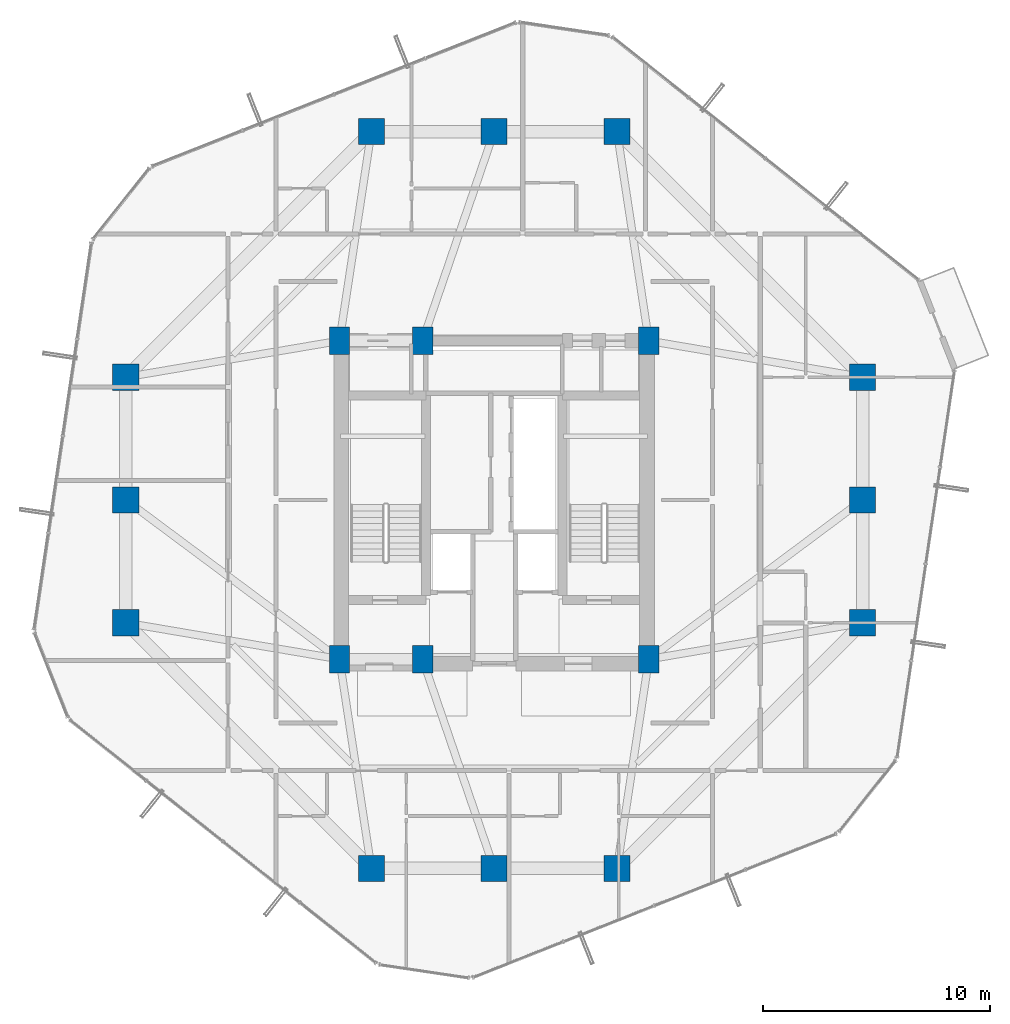
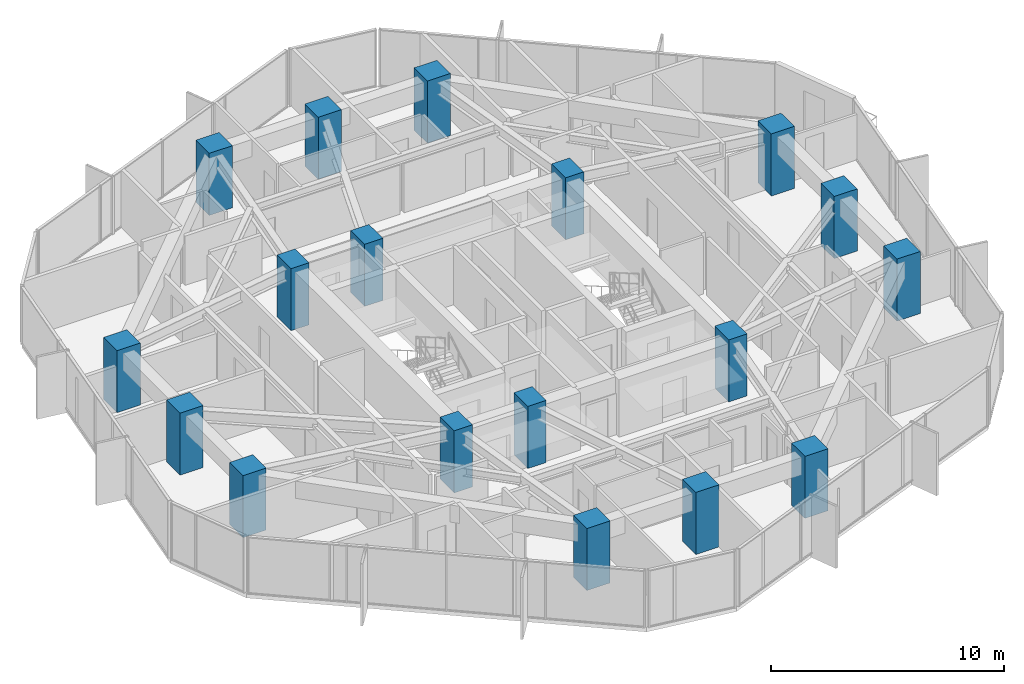
# One storey, part 1 of 29: 18 columns.
"""IFC4 building model written with IfcOpenShell, lengths in metres."""

from ifc_helpers import new_model, si_unit, direction, frame, origin, origin_2d, place, context, subcontext, project, spatial, rectangle, extrude, material, material_profile, profile_set, type_object, element, save


model = new_model("IFC4")

# Units and contexts
model_context = context("Model", 3, precision=1e-05, world=origin(), true_north=direction((0.0, 1.0)))
body_context = subcontext(model_context, "Body", "Model", "MODEL_VIEW")
ifc_project = project(units=[si_unit("LENGTHUNIT", "METRE"), si_unit("AREAUNIT", "SQUARE_METRE"), si_unit("VOLUMEUNIT", "CUBIC_METRE"), si_unit("PLANEANGLEUNIT", "RADIAN"), si_unit("MASSUNIT", "GRAM", prefix="KILO")], contexts=[model_context])

# Site, building, storey
site_placement = place(None, origin())
site = spatial("IfcSite", under=ifc_project, at=site_placement, CompositionType="ELEMENT")
building_placement = place(site_placement, origin())
building = spatial("IfcBuilding", under=site, at=building_placement, Name="Veraguas Prism Commons", CompositionType="ELEMENT")
storey_placement = place(building_placement, frame((0.0, 0.0, 99.199951171875)))
storey = spatial("IfcBuildingStorey", under=building, at=storey_placement, Name="L27", CompositionType="ELEMENT", Elevation=99.199951171875)

# Columns
ifc_material = material(Name="Concrete C60/75", Category="concrete")
ifc_material_profile_1 = material_profile(ifc_material, rectangle(XDim=1.14990234375, YDim=1.14990234375, at=origin_2d()), Name="RC1150X1150")
ifc_profile_set_1 = profile_set([ifc_material_profile_1], Name="Concrete C60/75")
column_type_1 = type_object("IfcColumnType", Name="Column Tube Z2 RC 1150x1150", PredefinedType="COLUMN", material=ifc_profile_set_1)
for number, where, z_axis, x_axis, name in (
    (1, (40.199951171875, 18.60009765625, 0.0), (0.0, 0.0, 1.0), (1.0, 0.0, 0.0), "Tower Perimeter Column L27-TB01"),
    (2, (40.199951171875, 24.0, 0.0), (0.0, 0.0, 1.0), (1.0, 0.0, 0.0), "Tower Perimeter Column L27-TB02"),
    (3, (40.199951171875, 29.39990234375, 0.0), (0.0, 0.0, 1.0), (1.0, 0.0, 0.0), "Tower Perimeter Column L27-TB03"),
    (4, (29.39990234375, 40.199951171875, 0.0), (0.0, 0.0, 1.0), (1.0, 0.0, 0.0), "Tower Perimeter Column L27-TB04"),
    (5, (24.0, 40.199951171875, 0.0), (0.0, 0.0, 1.0), (1.0, 0.0, 0.0), "Tower Perimeter Column L27-TB05"),
    (6, (18.60009765625, 40.199951171875, 0.0), (0.0, 0.0, 1.0), (1.0, 0.0, 0.0), "Tower Perimeter Column L27-TB06"),
    (7, (7.800048828125, 29.39990234375, 0.0), (0.0, 0.0, 1.0), (1.0, 0.0, 0.0), "Tower Perimeter Column L27-TB07"),
    (8, (7.800048828125, 24.0, 0.0), (0.0, 0.0, 1.0), (1.0, 0.0, 0.0), "Tower Perimeter Column L27-TB08"),
    (9, (7.800048828125, 18.60009765625, 0.0), (0.0, 0.0, 1.0), (1.0, 0.0, 0.0), "Tower Perimeter Column L27-TB09"),
    (10, (18.60009765625, 7.800048828125, 0.0), (0.0, 0.0, 1.0), (1.0, 0.0, 0.0), "Tower Perimeter Column L27-TB10"),
    (11, (24.0, 7.800048828125, 0.0), (0.0, 0.0, 1.0), (1.0, 0.0, 0.0), "Tower Perimeter Column L27-TB11"),
    (12, (29.39990234375, 7.800048828125, 0.0), (0.0, 0.0, 1.0), (1.0, 0.0, 0.0), "Tower Perimeter Column L27-TB12"),
):
    element("IfcColumn", number, at=place(storey_placement, frame(where, z_axis=z_axis, x_axis=x_axis)), inside=storey, type_object=column_type_1, Name=name, PredefinedType="COLUMN", context=body_context, shape_type="SweptSolid", body=[
        extrude(rectangle(XDim=1.14990234375, YDim=1.14990234375, at=origin_2d()), origin(), (0.0, 0.0, 1.0), 3.25),
    ])
ifc_material_profile_2 = material_profile(ifc_material, rectangle(XDim=0.89990234375, YDim=1.199951171875, at=origin_2d()), Name="RC900X1200")
ifc_profile_set_2 = profile_set([ifc_material_profile_2], Name="Concrete C60/75")
column_type_2 = type_object("IfcColumnType", Name="Pilaster Core Lower RC 900x1200", PredefinedType="PILASTER", material=ifc_profile_set_2)
for number, where, z_axis, x_axis, name in (
    (13, (17.199951171875, 17.0, 0.0), (0.0, 0.0, 1.0), (1.0, 0.0, 0.0), "Core Pilaster Column L27-CR1"),
    (14, (20.85009765625, 17.0, 0.0), (0.0, 0.0, 1.0), (1.0, 0.0, 0.0), "Core Pilaster Column L27-CR2"),
    (15, (30.800048828125, 17.0, 0.0), (0.0, 0.0, 1.0), (1.0, 0.0, 0.0), "Core Pilaster Column L27-CR3"),
    (16, (17.199951171875, 31.0, 0.0), (0.0, 0.0, 1.0), (1.0, 0.0, 0.0), "Core Pilaster Column L27-CR4"),
    (17, (20.85009765625, 31.0, 0.0), (0.0, 0.0, 1.0), (1.0, 0.0, 0.0), "Core Pilaster Column L27-CR5"),
    (18, (30.800048828125, 31.0, 0.0), (0.0, 0.0, 1.0), (1.0, 0.0, 0.0), "Core Pilaster Column L27-CR6"),
):
    element("IfcColumn", number, at=place(storey_placement, frame(where, z_axis=z_axis, x_axis=x_axis)), inside=storey, type_object=column_type_2, Name=name, PredefinedType="PILASTER", context=body_context, shape_type="SweptSolid", body=[
        extrude(rectangle(XDim=0.89990234375, YDim=1.199951171875, at=origin_2d()), origin(), (0.0, 0.0, 1.0), 3.25),
    ])

save(model, "model.ifc")
